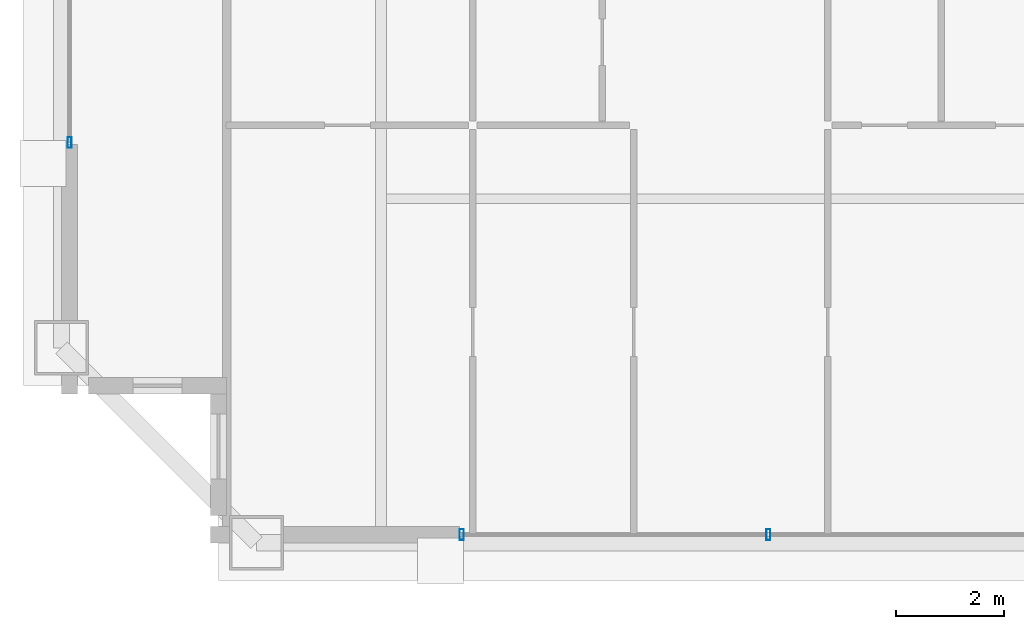
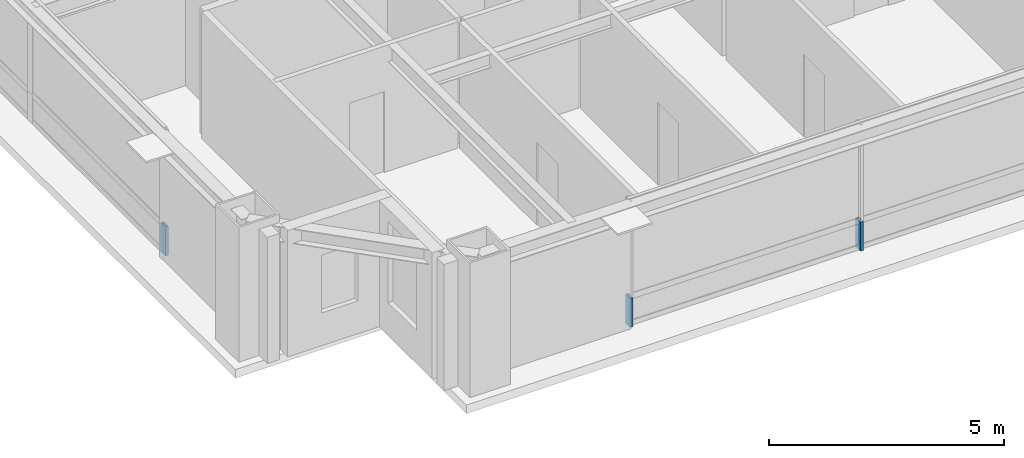
# One storey, part 21 of 34: 3 members, 2 elements without a shape of their own.
"""IFC4 building model written with IfcOpenShell, lengths in metres."""

import ifcopenshell
import ifcopenshell.guid

model = None  # the IFC model being written
_history = None  # IfcOwnerHistory: only IFC2X3 demands one
_inside = {}  # id of a spatial element -> (the spatial element, [elements in it])
_under = {}  # id of a project, library or spatial element -> (it, [spatial elements below it])
_declared = {}  # id of a project -> (the project, [libraries it declares])
_typed = {}  # id of a type object -> (the type object, [elements of that type])
_made_of = {}  # id of a material, layer set ... -> (it, [elements and type objects made of it])


def new_model(schema):
    """Start an empty IFC model of exactly this schema.

    Asked for "IFC4X3", IfcOpenShell would pick the latest addendum, in which some entities
    have other attributes; the version numbers below select the first issue.
    IFC2X3 requires an IfcOwnerHistory on every rooted entity: one is made here for all.
    """
    global model, _history
    if schema == "IFC4X3":
        model = ifcopenshell.file(schema_version=(4, 3, 0, 0))
    else:
        model = ifcopenshell.file(schema=schema)
    _inside.clear()
    _under.clear()
    _declared.clear()
    _typed.clear()
    _made_of.clear()
    _history = None
    if model.schema == "IFC2X3":
        org = make("IfcOrganization", Name="unknown")
        user = make(
            "IfcPersonAndOrganization",
            ThePerson=make("IfcPerson", FamilyName="unknown"),
            TheOrganization=org,
        )
        app = make(
            "IfcApplication",
            ApplicationDeveloper=org,
            Version="unknown",
            ApplicationFullName="unknown",
            ApplicationIdentifier="unknown",
        )
        _history = make(
            "IfcOwnerHistory",
            OwningUser=user,
            OwningApplication=app,
            ChangeAction="ADDED",
            CreationDate=0,
        )
    return model


def make(cls, **values):
    """One entity of the class cls with the attributes given. An attribute that is None is left unset."""
    return model.create_entity(
        cls, **{name: value for name, value in values.items() if value is not None}
    )


def rooted(cls, **values):
    """An entity with a GlobalId (a new one), such as an element, a storey or a relation."""
    return make(cls, GlobalId=ifcopenshell.guid.new(), OwnerHistory=_history, **values)


def si_unit(unit_type, name, prefix=None):
    """IfcSIUnit, for example si_unit("LENGTHUNIT", "METRE", prefix="MILLI")."""
    return make("IfcSIUnit", UnitType=unit_type, Prefix=prefix, Name=name)


def assignment(units):
    """IfcUnitAssignment: the units of a project."""
    return None if units is None else make("IfcUnitAssignment", Units=units)


def point(xyz):
    """IfcCartesianPoint."""
    return None if xyz is None else make("IfcCartesianPoint", Coordinates=xyz)


def direction(xyz):
    """IfcDirection."""
    return None if xyz is None else make("IfcDirection", DirectionRatios=xyz)


def frame(location, z_axis=None, x_axis=None):
    """IfcAxis2Placement3D, a coordinate frame: its origin and axes. An axis left out is left unset."""
    return make(
        "IfcAxis2Placement3D",
        Location=point(location),
        Axis=direction(z_axis),
        RefDirection=direction(x_axis),
    )


def frame_2d(location, x_axis=None):
    """IfcAxis2Placement2D, a coordinate frame in the plane: its origin and x axis."""
    return make(
        "IfcAxis2Placement2D", Location=point(location), RefDirection=direction(x_axis)
    )


def origin():
    """The frame at (0, 0, 0) with its axes left unset."""
    return frame((0.0, 0.0, 0.0))


def origin_2d():
    """The frame at (0, 0) in the plane with its x axis left unset."""
    return frame_2d((0.0, 0.0))


def place(relative_to, where):
    """IfcLocalPlacement: puts the frame where relative to a parent placement (None: the world)."""
    return make(
        "IfcLocalPlacement", PlacementRelTo=relative_to, RelativePlacement=where
    )


def context(
    kind, dimensions, precision=None, world=None, true_north=None, identifier=None
):
    """IfcGeometricRepresentationContext, for example the 3D "Model" context."""
    return make(
        "IfcGeometricRepresentationContext",
        ContextIdentifier=identifier,
        ContextType=kind,
        CoordinateSpaceDimension=dimensions,
        Precision=precision,
        WorldCoordinateSystem=world,
        TrueNorth=true_north,
    )


def subcontext(parent, identifier, kind, view, scale=None):
    """IfcGeometricRepresentationSubContext, for example "Body" below "Model"."""
    return make(
        "IfcGeometricRepresentationSubContext",
        ContextIdentifier=identifier,
        ContextType=kind,
        ParentContext=parent,
        TargetScale=scale,
        TargetView=view,
    )


def project(units=None, contexts=None):
    """IfcProject with its units and contexts."""
    return rooted(
        "IfcProject",
        Name="project",
        RepresentationContexts=contexts,
        UnitsInContext=assignment(units),
    )


def spatial(cls, under=None, at=None, **own):
    """A site, building, storey or space (cls), placed at a placement, below another one or the project."""
    s = rooted(cls, ObjectPlacement=at, **own)
    if under is not None:
        _under.setdefault(under.id(), (under, []))[1].append(s)
    return s


def profile(cls, at=None, kind="AREA", **sizes):
    """A parametric profile (cls). Its sizes go by their IFC names, for example OverallWidth=200.0."""
    return make(cls, ProfileType=kind, Position=at, **sizes)


def hollow_rectangle(**sizes):
    """IfcRectangleHollowProfileDef."""
    return profile("IfcRectangleHollowProfileDef", **sizes)


def extrude(swept, where, along, depth):
    """IfcExtrudedAreaSolid: the profile swept, set in the frame where, extruded along a direction by depth."""
    return make(
        "IfcExtrudedAreaSolid",
        SweptArea=swept,
        Position=where,
        ExtrudedDirection=direction(along),
        Depth=depth,
    )


def shape(context_of_items, identifier, shape_type, items):
    """IfcShapeRepresentation: the items that make up one representation, for example the "Body"."""
    return make(
        "IfcShapeRepresentation",
        ContextOfItems=context_of_items,
        RepresentationIdentifier=identifier,
        RepresentationType=shape_type,
        Items=items,
    )


def source(mapping_origin, context_of_items, identifier, shape_type, items):
    """IfcRepresentationMap: a shape defined once, which mapped items show again and again."""
    return make(
        "IfcRepresentationMap",
        MappingOrigin=mapping_origin,
        MappedRepresentation=shape(context_of_items, identifier, shape_type, items),
    )


def transform(
    local_origin,
    x_axis=None,
    y_axis=None,
    z_axis=None,
    scale=None,
    scale2=None,
    scale3=None,
    uniform=True,
):
    """IfcCartesianTransformationOperator3D, or its non-uniform kind. x_axis, y_axis, z_axis: its Axis1, 2, 3."""
    if uniform:
        return make(
            "IfcCartesianTransformationOperator3D",
            Axis1=direction(x_axis),
            Axis2=direction(y_axis),
            LocalOrigin=point(local_origin),
            Scale=scale,
            Axis3=direction(z_axis),
        )
    return make(
        "IfcCartesianTransformationOperator3DnonUniform",
        Axis1=direction(x_axis),
        Axis2=direction(y_axis),
        LocalOrigin=point(local_origin),
        Scale=scale,
        Axis3=direction(z_axis),
        Scale2=scale2,
        Scale3=scale3,
    )


def mapped(mapping_source, mapping_target):
    """IfcMappedItem: shows the shape of a source again, moved by a transform."""
    return make(
        "IfcMappedItem", MappingSource=mapping_source, MappingTarget=mapping_target
    )


def material(Name=None, Category=None):
    """IfcMaterial."""
    return make("IfcMaterial", Name=Name, Category=Category)


def layer(
    of_material, thickness, ventilated=None, Name=None, Category=None, Priority=None
):
    """IfcMaterialLayer: one layer of a wall or slab, of a material (None: an air gap)."""
    return make(
        "IfcMaterialLayer",
        Material=of_material,
        LayerThickness=thickness,
        IsVentilated=ventilated,
        Name=Name,
        Category=Category,
        Priority=Priority,
    )


def layer_set(layers, Name=None):
    """IfcMaterialLayerSet."""
    return make("IfcMaterialLayerSet", MaterialLayers=layers, LayerSetName=Name)


def material_profile(
    of_material, cross_section, Name=None, Category=None, Priority=None
):
    """IfcMaterialProfile: a cross section and its material."""
    return make(
        "IfcMaterialProfile",
        Name=Name,
        Material=of_material,
        Profile=cross_section,
        Priority=Priority,
        Category=Category,
    )


def profile_set(profiles, Name=None, composite=None):
    """IfcMaterialProfileSet."""
    return make(
        "IfcMaterialProfileSet",
        Name=Name,
        MaterialProfiles=profiles,
        CompositeProfile=composite,
    )


def made_of(thing, what):
    """Note that an element or type object is made of a material, layer set ...; save() writes the relation."""
    if what is not None:
        _made_of.setdefault(what.id(), (what, []))[1].append(thing)
    return thing


def type_object(cls, material=None, **own):
    """A type object (cls), such as IfcWallType, which elements share."""
    return made_of(rooted(cls, **own), material)


def element(
    cls,
    number,
    at=None,
    inside=None,
    cuts=None,
    type_object=None,
    material=None,
    context=None,
    identifier="Body",
    shape_type=None,
    held_by="IfcProductDefinitionShape",
    body=None,
    shapes=None,
    **own,
):
    """One element of the class cls, such as IfcWall. Its Tag is "e" and its number.

    at: its placement. inside: the storey or other place that contains it. cuts: it is an
    opening in that element (IfcRelVoidsElement). A single representation is given by context,
    identifier, shape_type and body (its items); several are given by shapes. held_by: the class
    of the entity that holds the representations. save() writes the other relations.
    """
    e = rooted(cls, Tag="e%d" % number, ObjectPlacement=at, **own)
    if body is not None:
        shapes = [shape(context, identifier, shape_type, body)]
    if shapes is not None:
        e.Representation = make(held_by, Representations=shapes)
    if inside is not None:
        _inside.setdefault(inside.id(), (inside, []))[1].append(e)
    if cuts is not None:
        rooted(
            "IfcRelVoidsElement", RelatingBuildingElement=cuts, RelatedOpeningElement=e
        )
    if type_object is not None:
        _typed.setdefault(type_object.id(), (type_object, []))[1].append(e)
    return made_of(e, material)


def aggregate(whole, parts):
    """IfcRelAggregates: a whole, such as a stair, and the parts it consists of."""
    return rooted("IfcRelAggregates", RelatingObject=whole, RelatedObjects=parts)


def save(model, path):
    """Write the relations noted so far, then the file.

    IfcRelAggregates (storeys below a building ...), IfcRelContainedInSpatialStructure (elements
    in a storey), IfcRelDefinesByType, IfcRelAssociatesMaterial and IfcRelDeclares: one each for
    every whole, place, type object, material and project.
    """
    for whole, parts in _under.values():
        aggregate(whole, parts)
    for where, things in _inside.values():
        rooted(
            "IfcRelContainedInSpatialStructure",
            RelatedElements=things,
            RelatingStructure=where,
        )
    for kind, things in _typed.values():
        rooted("IfcRelDefinesByType", RelatedObjects=things, RelatingType=kind)
    for what, things in _made_of.values():
        rooted("IfcRelAssociatesMaterial", RelatedObjects=things, RelatingMaterial=what)
    for by, libraries in _declared.values():
        rooted("IfcRelDeclares", RelatingContext=by, RelatedDefinitions=libraries)
    model.write(path)


model = new_model("IFC4")

# Units and contexts
model_context = context("Model", 3, precision=1e-05, world=origin(), true_north=direction((0.0, 1.0)))
body_context = subcontext(model_context, "Body", "Model", "MODEL_VIEW")
ifc_project = project(units=[si_unit("LENGTHUNIT", "METRE"), si_unit("AREAUNIT", "SQUARE_METRE"), si_unit("VOLUMEUNIT", "CUBIC_METRE"), si_unit("PLANEANGLEUNIT", "RADIAN"), si_unit("MASSUNIT", "GRAM", prefix="KILO"), si_unit("THERMODYNAMICTEMPERATUREUNIT", "KELVIN"), si_unit("POWERUNIT", "WATT")], contexts=[model_context])

# Site, building, storey
site_placement = place(None, origin())
site = spatial("IfcSite", under=ifc_project, at=site_placement, CompositionType="ELEMENT")
building_placement = place(site_placement, origin())
building = spatial("IfcBuilding", under=site, at=building_placement, Name="Yuzanri Waterfront Tower", CompositionType="ELEMENT")
storey_placement = place(building_placement, frame((0.0, 0.0, 325.199951171875)))
storey = spatial("IfcBuildingStorey", under=building, at=storey_placement, Name="L87", CompositionType="ELEMENT", Elevation=325.199951171875)

# Curtain wall, members
ifc_material_1 = material(Name="Anodized Architectural Bronze", Category="metal")
ifc_layer = layer(ifc_material_1, 0.159912109375)
ifc_layer_set = layer_set([ifc_layer], Name="Anodized Architectural Bronze")
curtain_wall_type = type_object("IfcCurtainWallType", Name="Anodized Bronze High-Rise Penthouse High-Wind Unitized Curtain Wall 6900", PredefinedType="NOTDEFINED", material=ifc_layer_set)
curtain_wall_1_placement = place(storey_placement, origin())
curtain_wall_1 = element("IfcCurtainWall", 1, at=curtain_wall_1_placement, inside=storey, type_object=curtain_wall_type, Name="L87 Curtain Wall CW-L87-SL", PredefinedType="NOTDEFINED")
ifc_material_2 = material(Name="Anodized Architectural Bronze", Category="metal")
ifc_material_profile = material_profile(ifc_material_2, hollow_rectangle(XDim=0.074951171875, YDim=0.199951171875, WallThickness=0.00390625, at=origin_2d()), Name="CWM 75x200")
ifc_profile_set = profile_set([ifc_material_profile], Name="Anodized Architectural Bronze")
member_type = type_object("IfcMemberType", Name="Anodized Bronze Primary Curtain-Wall Mullion 75x200", PredefinedType="MULLION", material=ifc_profile_set)
shared_shape = source(origin(), body_context, "Body", "SweptSolid", [
    extrude(hollow_rectangle(XDim=0.074951171875, YDim=0.199951171875, WallThickness=0.00390625, at=origin_2d()), origin(), (0.0, 0.0, 1.0), 0.751953125),
])
member_1_placement = place(storey_placement, frame((25.2900390625, 6.85009765625, 0.0), z_axis=(0.0, 0.0, 1.0), x_axis=(1.0, 0.0, 0.0)))
member_1 = element("IfcMember", 2, at=member_1_placement, type_object=member_type, Name="CW-L87-SL Lower Mullion 00", PredefinedType="MULLION", context=body_context, shape_type="MappedRepresentation", body=[
    mapped(shared_shape, transform((0.0, 0.0, 0.0), scale=1.0)),
])
member_2_placement = place(storey_placement, frame((30.949951171875, 6.85009765625, 0.0), z_axis=(0.0, 0.0, 1.0), x_axis=(1.0, 0.0, 0.0)))
member_2 = element("IfcMember", 3, at=member_2_placement, type_object=member_type, Name="CW-L87-SL Lower Mullion 01", PredefinedType="MULLION", context=body_context, shape_type="MappedRepresentation", body=[
    mapped(shared_shape, transform((0.0, 0.0, 0.0), scale=1.0)),
])
aggregate(curtain_wall_1, [member_1, member_2])

# Curtain wall, member
curtain_wall_2_placement = place(storey_placement, origin())
curtain_wall_2 = element("IfcCurtainWall", 4, at=curtain_wall_2_placement, inside=storey, type_object=curtain_wall_type, Name="L87 Curtain Wall CW-L87-WL", PredefinedType="NOTDEFINED")
member_3_placement = place(storey_placement, frame((18.050048828125, 14.090087890625, 0.0), z_axis=(0.0, 0.0, 1.0), x_axis=(1.0, 0.0, 0.0)))
member_3 = element("IfcMember", 5, at=member_3_placement, type_object=member_type, Name="CW-L87-WL Lower Mullion 00", PredefinedType="MULLION", context=body_context, shape_type="MappedRepresentation", body=[
    mapped(shared_shape, transform((0.0, 0.0, 0.0), scale=1.0)),
])
aggregate(curtain_wall_2, [member_3])

save(model, "model.ifc")
